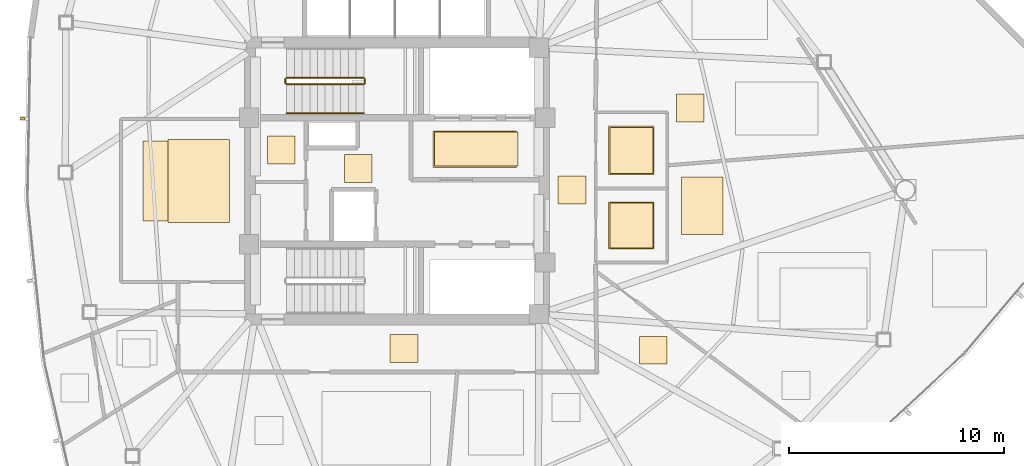
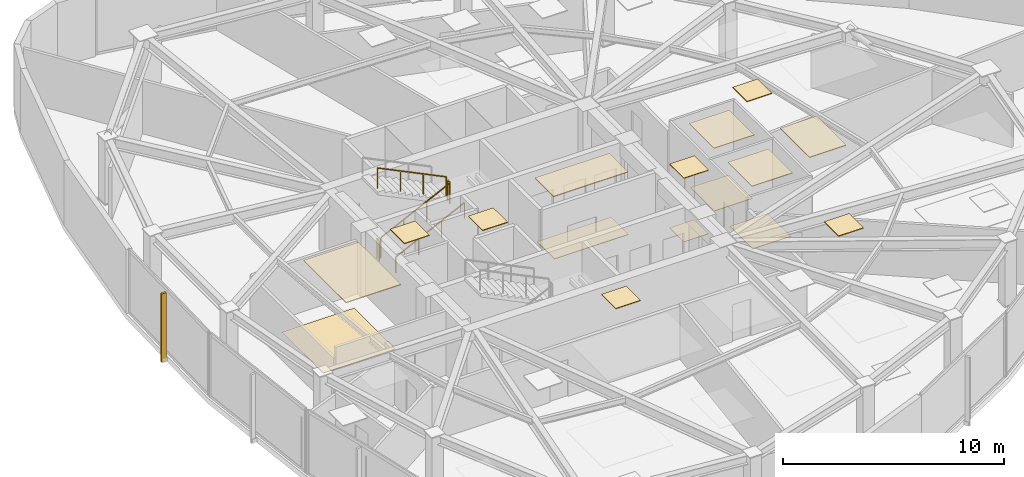
# One storey, part 15 of 17: 16 coverings, 5 railings, 1 shading device.
"""IFC4 building model written with IfcOpenShell, lengths in metres."""

from ifc_helpers import new_model, si_unit, direction, frame, origin, origin_2d, place, context, subcontext, project, spatial, polyline, rectangle, outline, extrude, source, transform, mapped, material, layer, layer_set, type_object, type_shapes, element, save


model = new_model("IFC4")

# Units and contexts
model_context = context("Model", 3, precision=1e-05, world=origin(), true_north=direction((0.0, 1.0)))
body_context = subcontext(model_context, "Body", "Model", "MODEL_VIEW")
ifc_project = project(units=[si_unit("LENGTHUNIT", "METRE"), si_unit("AREAUNIT", "SQUARE_METRE"), si_unit("VOLUMEUNIT", "CUBIC_METRE"), si_unit("PLANEANGLEUNIT", "RADIAN"), si_unit("MASSUNIT", "GRAM", prefix="KILO")], contexts=[model_context])

# Site, building, storey
site_placement = place(None, origin())
site = spatial("IfcSite", under=ifc_project, at=site_placement, CompositionType="ELEMENT")
building_placement = place(site_placement, origin())
building = spatial("IfcBuilding", under=site, at=building_placement, Name="Tavelor Broadcast Tower", CompositionType="ELEMENT")
storey_placement = place(building_placement, frame((0.0, 0.0, 169.5)))
storey = spatial("IfcBuildingStorey", under=building, at=storey_placement, Name="L40", CompositionType="ELEMENT", Elevation=169.5)

# Coverings
ifc_material_1 = material(Name="Copper-Bronze Anodized Aluminium", Category="aluminium")
ifc_layer_1 = layer(ifc_material_1, 0.044921875)
ifc_layer_set_1 = layer_set([ifc_layer_1], Name="Copper-Bronze Anodized Aluminium")
covering_type_1 = type_object("IfcCoveringType", Name="Anodised Bronze Linear Slatted Concourse Ceiling 45 mm", PredefinedType="CEILING", material=ifc_layer_set_1)
covering_1_placement = place(storey_placement, frame((0.0, 0.0, 3.5048828125)))
element("IfcCovering", 1, at=covering_1_placement, inside=storey, type_object=covering_type_1, Name="L40 Suspended Acoustic Ceiling 1650", PredefinedType="CEILING", context=body_context, shape_type="SweptSolid", body=[
    extrude(outline(polyline([(51.659912109375, 45.6318359375), (55.55712890625, 45.6318359375), (55.55712890625, 47.328125), (51.659912109375, 47.328125), (51.659912109375, 45.6318359375)])), origin(), (0.0, 0.0, 1.0), 0.045166015625),
])
covering_2_placement = place(storey_placement, frame((0.0, 0.0, 3.5048828125)))
element("IfcCovering", 2, at=covering_2_placement, inside=storey, type_object=covering_type_1, Name="L40 Suspended Acoustic Ceiling 1651", PredefinedType="CEILING", context=body_context, shape_type="SweptSolid", body=[
    extrude(outline(polyline([(47.5400390625, 44.919921875), (48.840087890625, 44.919921875), (48.840087890625, 46.219970703125), (47.5400390625, 46.219970703125), (47.5400390625, 44.919921875)])), origin(), (0.0, 0.0, 1.0), 0.045166015625),
])

# Railing
ifc_material_2 = material(Name="Steel S355", Category="steel")
railing_type_1 = type_object("IfcRailingType", Name="Continuous Brushed Stainless Handrail 900 mm", PredefinedType="HANDRAIL", material=ifc_material_2)
railing_1_placement = place(storey_placement, frame((44.85009765625, 48.14990234375, 0.175048828125)))
element("IfcRailing", 3, at=railing_1_placement, inside=storey, type_object=railing_type_1, Name="L40 ST1 stair handrail 1", PredefinedType="HANDRAIL", context=body_context, shape_type="SweptSolid", body=[
    extrude(rectangle(XDim=0.048095703125, YDim=0.048095703125, at=origin_2d()), frame((0.0, 0.0, 0.8759765625), z_axis=(0.899360859046, 0.0, 0.437207096483), x_axis=(0.0, 1.0, 0.0)), (0.0, 0.0, 1.0), 4.002685546875),
    extrude(rectangle(XDim=0.0419921875, YDim=0.0419921875, at=origin_2d()), origin(), (0.0, 0.0, 1.0), 0.851806640625),
    extrude(rectangle(XDim=0.0419921875, YDim=0.0419921875, at=origin_2d()), frame((1.199951171875, 0.0, 0.583251953125)), (0.0, 0.0, 1.0), 0.851806640625),
    extrude(rectangle(XDim=0.0419921875, YDim=0.0419921875, at=origin_2d()), frame((2.39990234375, 0.0, 1.166748046875)), (0.0, 0.0, 1.0), 0.851806640625),
    extrude(rectangle(XDim=0.0419921875, YDim=0.0419921875, at=origin_2d()), frame((3.599853515625, 0.0, 1.75)), (0.0, 0.0, 1.0), 0.851806640625),
])

# Coverings
ifc_material_3 = material(Name="Architectural Anodized Aluminium", Category="aluminium")
ifc_layer_2 = layer(ifc_material_3, 0.034912109375)
ifc_layer_set_2 = layer_set([ifc_layer_2], Name="Architectural Anodized Aluminium")
covering_type_2 = type_object("IfcCoveringType", Name="Demountable Metal Tile Corridor Ceiling 35 mm", PredefinedType="CEILING", material=ifc_layer_set_2)
covering_3_placement = place(storey_placement, frame((0.0, 0.0, 3.514892578125)))
element("IfcCovering", 4, at=covering_3_placement, inside=storey, type_object=covering_type_2, Name="L40 Suspended Acoustic Ceiling 1653", PredefinedType="CEILING", context=body_context, shape_type="SweptSolid", body=[
    extrude(outline(polyline([(57.489990234375, 43.925048828125), (58.7900390625, 43.925048828125), (58.7900390625, 45.22509765625), (57.489990234375, 45.22509765625), (57.489990234375, 43.925048828125)])), origin(), (0.0, 0.0, 1.0), 0.03515625),
])
covering_4_placement = place(storey_placement, frame((0.0, 0.0, 3.514892578125)))
element("IfcCovering", 5, at=covering_4_placement, inside=storey, type_object=covering_type_2, Name="L40 Suspended Acoustic Ceiling 1654", PredefinedType="CEILING", context=body_context, shape_type="SweptSolid", body=[
    extrude(outline(polyline([(49.669921875, 36.550048828125), (50.9697265625, 36.550048828125), (50.9697265625, 37.85009765625), (49.669921875, 37.85009765625), (49.669921875, 36.550048828125)])), origin(), (0.0, 0.0, 1.0), 0.03515625),
])
ifc_material_4 = material(Name="Acoustic Nylon Carpet Tile")
ifc_layer_3 = layer(ifc_material_4, 0.02001953125)
ifc_layer_set_3 = layer_set([ifc_layer_3], Name="Acoustic Nylon Carpet Tile")
covering_type_3 = type_object("IfcCoveringType", Name="Heavy-Duty Acoustic Broadcast Carpet Tile 20 mm", PredefinedType="FLOORING", material=ifc_layer_set_3)
covering_5_placement = place(storey_placement, origin())
element("IfcCovering", 6, at=covering_5_placement, inside=storey, type_object=covering_type_3, Name="L40 Broadcast Floor Finish 0582", PredefinedType="FLOORING", context=body_context, shape_type="SweptSolid", body=[
    extrude(outline(polyline([(57.489990234375, 43.925048828125), (58.7900390625, 43.925048828125), (58.7900390625, 45.22509765625), (57.489990234375, 45.22509765625), (57.489990234375, 43.925048828125)])), origin(), (0.0, 0.0, 1.0), 0.02001953125),
])
covering_6_placement = place(storey_placement, origin())
element("IfcCovering", 7, at=covering_6_placement, inside=storey, type_object=covering_type_3, Name="L40 Broadcast Floor Finish 0583", PredefinedType="FLOORING", context=body_context, shape_type="SweptSolid", body=[
    extrude(outline(polyline([(38.15771484375, 43.12890625), (41.942138671875, 43.12890625), (41.942138671875, 46.87060546875), (38.15771484375, 46.87060546875), (38.15771484375, 43.12890625)])), origin(), (0.0, 0.0, 1.0), 0.02001953125),
])
ifc_material_5 = material(Name="Honed Natural Limestone Tile", Category="masonry")
ifc_layer_4 = layer(ifc_material_5, 0.030029296875)
ifc_layer_set_4 = layer_set([ifc_layer_4], Name="Honed Natural Limestone Tile")
covering_type_4 = type_object("IfcCoveringType", Name="Honed Jerusalem Limestone Concourse Flooring 30 mm", PredefinedType="FLOORING", material=ifc_layer_set_4)
covering_7_placement = place(storey_placement, origin())
element("IfcCovering", 8, at=covering_7_placement, inside=storey, type_object=covering_type_4, Name="L40 Broadcast Floor Finish 0581", PredefinedType="FLOORING", context=body_context, shape_type="SweptSolid", body=[
    extrude(outline(polyline([(51.7373046875, 45.689453125), (55.62255859375, 45.689453125), (55.62255859375, 47.2705078125), (51.7373046875, 47.2705078125), (51.7373046875, 45.689453125)])), origin(), (0.0, 0.0, 1.0), 0.030029296875),
])
ifc_layer_5 = layer(ifc_material_3, 0.030029296875)
ifc_layer_set_5 = layer_set([ifc_layer_5], Name="Architectural Anodized Aluminium")
covering_type_5 = type_object("IfcCoveringType", Name="Moisture-Resistant Washroom Ceiling 30 mm", PredefinedType="CEILING", material=ifc_layer_set_5)
covering_8_placement = place(storey_placement, frame((0.0, 0.0, 3.52001953125)))
element("IfcCovering", 9, at=covering_8_placement, inside=storey, type_object=covering_type_5, Name="L40 Suspended Acoustic Ceiling 1656", PredefinedType="CEILING", context=body_context, shape_type="SweptSolid", body=[
    extrude(outline(polyline([(59.85302734375, 41.828369140625), (61.967041015625, 41.828369140625), (61.967041015625, 44.021484375), (59.85302734375, 44.021484375), (59.85302734375, 41.828369140625)])), origin(), (0.0, 0.0, 1.0), 0.030029296875),
])
covering_9_placement = place(storey_placement, frame((0.0, 0.0, 3.52001953125)))
element("IfcCovering", 10, at=covering_9_placement, inside=storey, type_object=covering_type_5, Name="L40 Suspended Acoustic Ceiling 1657", PredefinedType="CEILING", context=body_context, shape_type="SweptSolid", body=[
    extrude(outline(polyline([(59.85302734375, 45.29248046875), (61.967041015625, 45.29248046875), (61.967041015625, 47.5576171875), (59.85302734375, 47.5576171875), (59.85302734375, 45.29248046875)])), origin(), (0.0, 0.0, 1.0), 0.030029296875),
])
ifc_material_6 = material(Name="Slip-Resistant Porcelain Tile")
ifc_layer_6 = layer(ifc_material_6, 0.02490234375)
ifc_layer_set_6 = layer_set([ifc_layer_6], Name="Slip-Resistant Porcelain Tile")
covering_type_6 = type_object("IfcCoveringType", Name="Slip-Resistant Porcelain Wet-Area Floor Tile 25 mm", PredefinedType="FLOORING", material=ifc_layer_set_6)
covering_10_placement = place(storey_placement, origin())
element("IfcCovering", 11, at=covering_10_placement, inside=storey, type_object=covering_type_6, Name="L40 Broadcast Floor Finish 0584", PredefinedType="FLOORING", context=body_context, shape_type="SweptSolid", body=[
    extrude(outline(polyline([(59.91064453125, 41.885986328125), (61.909423828125, 41.885986328125), (61.909423828125, 43.964111328125), (59.91064453125, 43.964111328125), (59.91064453125, 41.885986328125)])), origin(), (0.0, 0.0, 1.0), 0.02490234375),
])
covering_11_placement = place(storey_placement, origin())
element("IfcCovering", 12, at=covering_11_placement, inside=storey, type_object=covering_type_6, Name="L40 Broadcast Floor Finish 0585", PredefinedType="FLOORING", context=body_context, shape_type="SweptSolid", body=[
    extrude(outline(polyline([(59.91064453125, 45.35009765625), (61.909423828125, 45.35009765625), (61.909423828125, 47.5), (59.91064453125, 47.5), (59.91064453125, 45.35009765625)])), origin(), (0.0, 0.0, 1.0), 0.02490234375),
])

# Railings
railing_type_2 = type_object("IfcRailingType", Name="Stairwell Steel Safety Guardrail 1150 mm", PredefinedType="GUARDRAIL", material=ifc_material_2)
railing_2_placement = place(storey_placement, frame((44.85009765625, 49.5, 0.175048828125)))
element("IfcRailing", 13, at=railing_2_placement, inside=storey, type_object=railing_type_2, Name="L40 ST1 stair guard 1", PredefinedType="GUARDRAIL", context=body_context, shape_type="SweptSolid", body=[
    extrude(rectangle(XDim=0.048095703125, YDim=0.048095703125, at=origin_2d()), frame((0.0, 0.0, 1.1259765625), z_axis=(0.899360859046, 0.0, 0.437207096483), x_axis=(0.0, 1.0, 0.0)), (0.0, 0.0, 1.0), 4.002685546875),
    extrude(rectangle(XDim=0.0419921875, YDim=0.0419921875, at=origin_2d()), origin(), (0.0, 0.0, 1.0), 1.101806640625),
    extrude(rectangle(XDim=0.0419921875, YDim=0.0419921875, at=origin_2d()), frame((1.199951171875, 0.0, 0.583251953125)), (0.0, 0.0, 1.0), 1.101806640625),
    extrude(rectangle(XDim=0.0419921875, YDim=0.0419921875, at=origin_2d()), frame((2.39990234375, 0.0, 1.166748046875)), (0.0, 0.0, 1.0), 1.101806640625),
    extrude(rectangle(XDim=0.0419921875, YDim=0.0419921875, at=origin_2d()), frame((3.599853515625, 0.0, 1.75)), (0.0, 0.0, 1.0), 1.101806640625),
])
railing_3_placement = place(storey_placement, frame((48.5, 49.550048828125, 1.925048828125)))
element("IfcRailing", 14, at=railing_3_placement, inside=storey, type_object=railing_type_2, Name="L40 ST1 stair guard 2", PredefinedType="GUARDRAIL", context=body_context, shape_type="SweptSolid", body=[
    extrude(rectangle(XDim=0.048095703125, YDim=0.048095703125, at=origin_2d()), frame((0.0, 0.0, 1.1259765625), z_axis=(0.0, 1.0, 0.0), x_axis=(-1.0, 0.0, 0.0)), (0.0, 0.0, 1.0), 0.199951171875),
    extrude(rectangle(XDim=0.0419921875, YDim=0.0419921875, at=origin_2d()), origin(), (0.0, 0.0, 1.0), 1.101806640625),
    extrude(rectangle(XDim=0.0419921875, YDim=0.0419921875, at=origin_2d()), frame((0.0, 0.199951171875, 0.0)), (0.0, 0.0, 1.0), 1.101806640625),
])
railing_4_placement = place(storey_placement, frame((48.449951171875, 49.800048828125, 2.10009765625)))
element("IfcRailing", 15, at=railing_4_placement, inside=storey, type_object=railing_type_2, Name="L40 ST1 stair guard 3", PredefinedType="GUARDRAIL", context=body_context, shape_type="SweptSolid", body=[
    extrude(rectangle(XDim=0.048095703125, YDim=0.048095703125, at=origin_2d()), frame((0.0, 0.0, 1.1259765625), z_axis=(-0.899360859046, 0.0, 0.437207096483), x_axis=(0.0, -1.0, 0.0)), (0.0, 0.0, 1.0), 4.002685546875),
    extrude(rectangle(XDim=0.0419921875, YDim=0.0419921875, at=origin_2d()), origin(), (0.0, 0.0, 1.0), 1.101806640625),
    extrude(rectangle(XDim=0.0419921875, YDim=0.0419921875, at=origin_2d()), frame((-1.199951171875, 0.0, 0.583251953125)), (0.0, 0.0, 1.0), 1.101806640625),
    extrude(rectangle(XDim=0.0419921875, YDim=0.0419921875, at=origin_2d()), frame((-2.39990234375, 0.0, 1.166748046875)), (0.0, 0.0, 1.0), 1.101806640625),
    extrude(rectangle(XDim=0.0419921875, YDim=0.0419921875, at=origin_2d()), frame((-3.599853515625, 0.0, 1.75)), (0.0, 0.0, 1.0), 1.101806640625),
])
railing_5_placement = place(storey_placement, frame((44.800048828125, 49.550048828125, 0.0)))
element("IfcRailing", 16, at=railing_5_placement, inside=storey, type_object=railing_type_2, Name="L40 ST1 stair guard 4", PredefinedType="GUARDRAIL", context=body_context, shape_type="SweptSolid", body=[
    extrude(rectangle(XDim=0.048095703125, YDim=0.048095703125, at=origin_2d()), frame((0.0, 0.0, 1.1259765625), z_axis=(0.0, 1.0, 0.0), x_axis=(-1.0, 0.0, 0.0)), (0.0, 0.0, 1.0), 0.199951171875),
    extrude(rectangle(XDim=0.0419921875, YDim=0.0419921875, at=origin_2d()), origin(), (0.0, 0.0, 1.0), 1.101806640625),
    extrude(rectangle(XDim=0.0419921875, YDim=0.0419921875, at=origin_2d()), frame((0.0, 0.199951171875, 0.0)), (0.0, 0.0, 1.0), 1.101806640625),
])

# Coverings
ifc_material_7 = material(Name="Acoustic Mineral Fibre Tile")
ifc_layer_7 = layer(ifc_material_7, 0.0400390625)
ifc_layer_set_7 = layer_set([ifc_layer_7], Name="Acoustic Mineral Fibre Tile")
covering_type_7 = type_object("IfcCoveringType", Name="Suspended Acoustic Mineral-Fibre Office Ceiling 40 mm", PredefinedType="CEILING", material=ifc_layer_set_7)
covering_12_placement = place(storey_placement, frame((0.0, 0.0, 3.510009765625)))
element("IfcCovering", 17, at=covering_12_placement, inside=storey, type_object=covering_type_7, Name="L40 Suspended Acoustic Ceiling 1652", PredefinedType="CEILING", context=body_context, shape_type="SweptSolid", body=[
    extrude(outline(polyline([(43.951416015625, 45.794921875), (45.25146484375, 45.794921875), (45.25146484375, 47.094970703125), (43.951416015625, 47.094970703125), (43.951416015625, 45.794921875)])), origin(), (0.0, 0.0, 1.0), 0.0400390625),
])
covering_13_placement = place(storey_placement, frame((0.0, 0.0, 3.510009765625)))
element("IfcCovering", 18, at=covering_13_placement, inside=storey, type_object=covering_type_7, Name="L40 Suspended Acoustic Ceiling 1655", PredefinedType="CEILING", context=body_context, shape_type="SweptSolid", body=[
    extrude(outline(polyline([(39.321533203125, 43.0712890625), (42.198486328125, 43.0712890625), (42.198486328125, 46.927978515625), (39.321533203125, 46.927978515625), (39.321533203125, 43.0712890625)])), origin(), (0.0, 0.0, 1.0), 0.0400390625),
])
covering_14_placement = place(storey_placement, frame((0.0, 0.0, 3.510009765625)))
element("IfcCovering", 19, at=covering_14_placement, inside=storey, type_object=covering_type_7, Name="L40 Suspended Acoustic Ceiling 1658", PredefinedType="CEILING", context=body_context, shape_type="SweptSolid", body=[
    extrude(outline(polyline([(61.27880859375, 36.466552734375), (62.578857421875, 36.466552734375), (62.578857421875, 37.7666015625), (61.27880859375, 37.7666015625), (61.27880859375, 36.466552734375)])), origin(), (0.0, 0.0, 1.0), 0.0400390625),
])
covering_15_placement = place(storey_placement, frame((0.0, 0.0, 3.510009765625)))
element("IfcCovering", 20, at=covering_15_placement, inside=storey, type_object=covering_type_7, Name="L40 Suspended Acoustic Ceiling 1674", PredefinedType="CEILING", context=body_context, shape_type="SweptSolid", body=[
    extrude(outline(polyline([(63.0, 47.748779296875), (64.300048828125, 47.748779296875), (64.300048828125, 49.048828125), (63.0, 49.048828125), (63.0, 47.748779296875)])), origin(), (0.0, 0.0, 1.0), 0.0400390625),
])
covering_16_placement = place(storey_placement, frame((0.0, 0.0, 3.510009765625)))
element("IfcCovering", 21, at=covering_16_placement, inside=storey, type_object=covering_type_7, Name="L40 Suspended Acoustic Ceiling 1676", PredefinedType="CEILING", context=body_context, shape_type="SweptSolid", body=[
    extrude(outline(polyline([(63.24609375, 42.51513671875), (65.16943359375, 42.51513671875), (65.16943359375, 45.173583984375), (63.24609375, 45.173583984375), (63.24609375, 42.51513671875)])), origin(), (0.0, 0.0, 1.0), 0.0400390625),
])

# Shading device
ifc_material_8 = material(Name="Kiln-Fired Glazed Terracotta", Category="masonry")
shading_device_type = type_object("IfcShadingDeviceType", Name="Extruded Terracotta Baguette Sun-Screen 110x240", PredefinedType="JALOUSIE", material=ifc_material_8)
shared_shape = source(origin(), body_context, "Body", "SweptSolid", [
    extrude(rectangle(XDim=0.110107421875, YDim=0.239990234375, at=origin_2d()), origin(), (0.0, 0.0, 1.0), 3.7900390625),
])
type_shapes(shading_device_type, [shared_shape])
shading_device_placement = place(storey_placement, frame((32.556396484375, 47.901611328125, -0.260009765625), z_axis=(0.0, 0.0, 1.0), x_axis=(-0.018848439715, -0.999822352381, 0.0)))
element("IfcShadingDevice", 22, at=shading_device_placement, inside=storey, type_object=shading_device_type, Name="L40 Terracotta Baguette Fin 409", PredefinedType="JALOUSIE", context=body_context, shape_type="MappedRepresentation", body=[
    mapped(shared_shape, transform((0.0, 0.0, 0.0), scale=1.0)),
])

save(model, "model.ifc")
